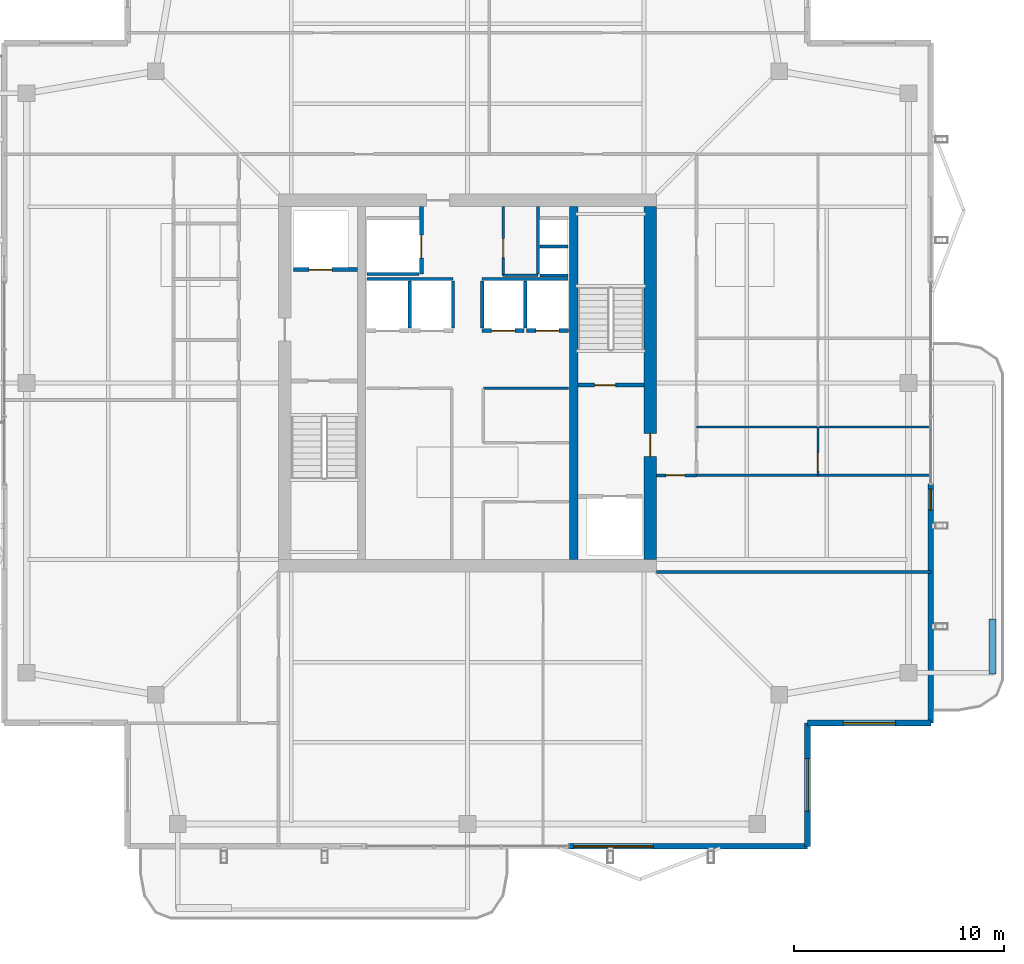
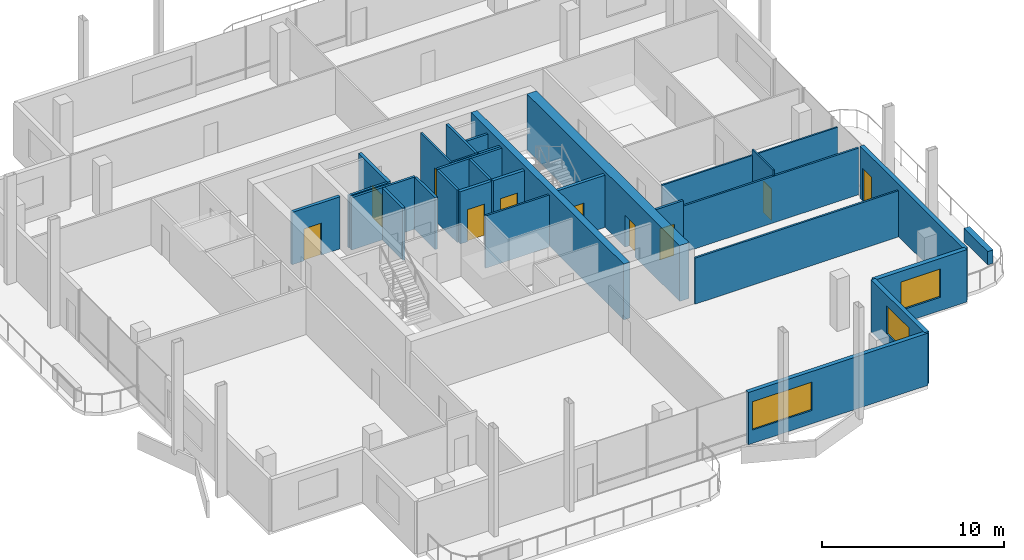
# One storey, part 17 of 22: 30 walls, 10 doors, 3 windows, 13 openings.
"""IFC4 building model written with IfcOpenShell, lengths in metres."""

from ifc_helpers import new_model, si_unit, direction, frame, frame_2d, origin, place, context, subcontext, project, spatial, rectangle, extrude, material, layer, layer_set, type_object, element, fill, save


model = new_model("IFC4")

# Units and contexts
model_context = context("Model", 3, precision=1e-05, world=origin(), true_north=direction((0.0, 1.0)))
body_context = subcontext(model_context, "Body", "Model", "MODEL_VIEW")
ifc_project = project(units=[si_unit("LENGTHUNIT", "METRE"), si_unit("AREAUNIT", "SQUARE_METRE"), si_unit("VOLUMEUNIT", "CUBIC_METRE"), si_unit("PLANEANGLEUNIT", "RADIAN"), si_unit("MASSUNIT", "GRAM", prefix="KILO")], contexts=[model_context])

# Site, building, storey
site_placement = place(None, origin())
site = spatial("IfcSite", under=ifc_project, at=site_placement, CompositionType="ELEMENT")
building_placement = place(site_placement, origin())
building = spatial("IfcBuilding", under=site, at=building_placement, Name="Belovzor Exchange Tower", CompositionType="ELEMENT")
storey_placement = place(building_placement, frame((0.0, 0.0, 336.75)))
storey = spatial("IfcBuildingStorey", under=building, at=storey_placement, Name="L84", CompositionType="ELEMENT", Elevation=336.75)

# Walls
ifc_material_1 = material(Name="Acoustic Plasterboard on Galvanised Studs", Category="gypsum")
ifc_layer_1 = layer(ifc_material_1, 0.1201171875)
ifc_layer_set_1 = layer_set([ifc_layer_1], Name="Acoustic Plasterboard on Galvanised Studs")
wall_type_1 = type_object("IfcWallType", Name="Acoustic Double-Stud Partition Wall 120", PredefinedType="PARTITIONING", material=ifc_layer_set_1)
wall_1_placement = place(storey_placement, frame((37.800048828125, 19.800048828125, 0.0), z_axis=(0.0, 0.0, 1.0), x_axis=(1.0, 0.0, 0.0)))
element("IfcWall", 1, at=wall_1_placement, inside=storey, type_object=wall_type_1, Name="W-P120 Partition Wall W-L84-ESS", PredefinedType="PARTITIONING", context=body_context, shape_type="SweptSolid", body=[
    extrude(rectangle(XDim=13.070068359375, YDim=0.1201171875, at=frame_2d((6.53515625, 0.0))), origin(), (0.0, 0.0, 1.0), 3.094970703125),
])
wall_2_placement = place(storey_placement, frame((39.699951171875, 24.39990234375, 0.0), z_axis=(0.0, 0.0, 1.0), x_axis=(1.0, 0.0, 0.0)))
element("IfcWall", 2, at=wall_2_placement, inside=storey, type_object=wall_type_1, Name="W-P120 Partition Wall W-L84-ESN", PredefinedType="PARTITIONING", context=body_context, shape_type="SweptSolid", body=[
    extrude(rectangle(XDim=11.170166015625, YDim=0.1201171875, at=frame_2d((5.5849609375, 0.0))), origin(), (0.0, 0.0, 1.0), 3.135009765625),
])

# Wall, opening, door
ifc_material_2 = material(Name="Acoustic Laminated Glass and Aluminium", Category="aluminium")
ifc_layer_2 = layer(ifc_material_2, 0.10009765625)
ifc_layer_set_2 = layer_set([ifc_layer_2], Name="Acoustic Laminated Glass and Aluminium")
wall_type_2 = type_object("IfcWallType", Name="Demountable Executive Glass Partition 100", PredefinedType="MOVABLE", material=ifc_layer_set_2)
wall_3_placement = place(storey_placement, frame((45.48388671875, 24.39990234375, 0.0), z_axis=(0.0, 0.0, 1.0), x_axis=(0.0, 1.0, 0.0)))
wall_3 = element("IfcWall", 3, at=wall_3_placement, inside=storey, type_object=wall_type_2, Name="W-M100 Partition Wall W-L84-EHDIV-0", PredefinedType="MOVABLE", context=body_context, shape_type="SweptSolid", body=[
    extrude(rectangle(XDim=2.300048828125, YDim=0.10009765625, at=frame_2d((1.14990234375, 0.0))), origin(), (0.0, 0.0, 1.0), 3.510009765625),
])
opening_1_placement = place(wall_3_placement, frame((0.199951171875, 0.0, 0.0)))
opening_1 = element("IfcOpeningElement", 4, at=opening_1_placement, cuts=wall_3, Name="Opening D-INT-090", PredefinedType="OPENING", context=body_context, shape_type="SweptSolid", body=[
    extrude(rectangle(XDim=0.89990234375, YDim=2.10009765625, at=frame_2d((0.449951171875, 1.050048828125))), frame((0.0, 0.06005859375, 0.0), z_axis=(0.0, -1.0, 0.0), x_axis=(1.0, 0.0, 0.0)), (0.0, 0.0, 1.0), 0.1201171875),
])
ifc_material_3 = material(Name="Veneered Hardwood Acoustic Leaf", Category="wood")
door_type_1 = type_object("IfcDoorType", Name="Trading Suite Acoustic Single Door 900x2100", OperationType="NOTDEFINED", PredefinedType="DOOR", material=ifc_material_3)
door_1_placement = place(opening_1_placement, origin())
door_1 = element("IfcDoor", 5, at=door_1_placement, inside=storey, type_object=door_type_1, Name="D-INT-090 Trading Suite Acoustic Single Door 900x2100", OperationType="SINGLE_SWING_RIGHT", OverallHeight=2.10009765625, OverallWidth=0.89990234375, PredefinedType="DOOR", context=body_context, shape_type="SweptSolid", body=[
    extrude(rectangle(XDim=0.89990234375, YDim=2.10009765625, at=frame_2d((0.449951171875, 1.050048828125))), frame((0.0, 0.02490234375, 0.0), z_axis=(0.0, -1.0, 0.0), x_axis=(1.0, 0.0, 0.0)), (0.0, 0.0, 1.0), 0.050048828125),
])
fill(opening_1, door_1)

# Wall
wall_4_placement = place(storey_placement, frame((39.699951171875, 26.699951171875, 0.0), z_axis=(0.0, 0.0, 1.0), x_axis=(1.0, 0.0, 0.0)))
element("IfcWall", 6, at=wall_4_placement, inside=storey, type_object=wall_type_2, Name="W-M100 Partition Wall W-L84-EDIV-1", PredefinedType="MOVABLE", context=body_context, shape_type="SweptSolid", body=[
    extrude(rectangle(XDim=11.170166015625, YDim=0.10009765625, at=frame_2d((5.5849609375, 0.0))), origin(), (0.0, 0.0, 1.0), 3.135009765625),
])

# Wall, opening, door
ifc_material_4 = material(Name="Fire-Rated Plasterboard on Galvanised Studs", Category="gypsum")
ifc_layer_3 = layer(ifc_material_4, 0.1201171875)
ifc_layer_set_3 = layer_set([ifc_layer_3], Name="Fire-Rated Plasterboard on Galvanised Studs")
wall_type_3 = type_object("IfcWallType", Name="Fire-Rated Double-Stud Partition Wall 120", PredefinedType="PARTITIONING", material=ifc_layer_set_3)
wall_5_placement = place(storey_placement, frame((30.5, 33.925048828125, 0.0), z_axis=(0.0, 0.0, 1.0), x_axis=(0.0, 1.0, 0.0)))
wall_5 = element("IfcWall", 7, at=wall_5_placement, inside=storey, type_object=wall_type_3, Name="W-P120F Partition Wall W-CRV-L84-W", PredefinedType="PARTITIONING", context=body_context, shape_type="SweptSolid", body=[
    extrude(rectangle(XDim=3.27490234375, YDim=0.1201171875, at=frame_2d((1.637451171875, 0.0))), origin(), (0.0, 0.0, 1.0), 3.510009765625),
])
opening_2_placement = place(wall_5_placement, frame((0.85009765625, 0.0, 0.0)))
opening_2 = element("IfcOpeningElement", 8, at=opening_2_placement, cuts=wall_5, Name="Opening D-FD60-090", PredefinedType="OPENING", context=body_context, shape_type="SweptSolid", body=[
    extrude(rectangle(XDim=0.89990234375, YDim=2.10009765625, at=frame_2d((0.449951171875, 1.050048828125))), frame((0.0, 0.070068359375, 0.0), z_axis=(0.0, -1.0, 0.0), x_axis=(1.0, 0.0, 0.0)), (0.0, 0.0, 1.0), 0.14013671875),
])
ifc_material_5 = material(Name="Acoustic Timber Fire Leaf", Category="wood")
door_type_2 = type_object("IfcDoorType", Name="Core Service & Restroom Fire Door 900x2100", OperationType="NOTDEFINED", PredefinedType="DOOR", material=ifc_material_5)
door_2_placement = place(opening_2_placement, origin())
door_2 = element("IfcDoor", 9, at=door_2_placement, inside=storey, type_object=door_type_2, Name="D-FD60-090 Core Service & Restroom Fire Door 900x2100", OperationType="SINGLE_SWING_LEFT", OverallHeight=2.10009765625, OverallWidth=0.89990234375, PredefinedType="DOOR", context=body_context, shape_type="SweptSolid", body=[
    extrude(rectangle(XDim=0.89990234375, YDim=2.10009765625, at=frame_2d((0.449951171875, 1.050048828125))), frame((0.0, 0.02490234375, 0.0), z_axis=(0.0, -1.0, 0.0), x_axis=(1.0, 0.0, 0.0)), (0.0, 0.0, 1.0), 0.050048828125),
])
fill(opening_2, door_2)

# Walls
wall_6_placement = place(storey_placement, frame((30.5, 33.925048828125, 0.0), z_axis=(0.0, 0.0, 1.0), x_axis=(1.0, 0.0, 0.0)))
element("IfcWall", 10, at=wall_6_placement, inside=storey, type_object=wall_type_3, Name="W-P120F Partition Wall W-CRV-L84-S", PredefinedType="PARTITIONING", context=body_context, shape_type="SweptSolid", body=[
    extrude(rectangle(XDim=1.64990234375, YDim=0.1201171875, at=frame_2d((0.824951171875, 0.0))), origin(), (0.0, 0.0, 1.0), 3.510009765625),
])
wall_7_placement = place(storey_placement, frame((29.550048828125, 28.550048828125, 0.0), z_axis=(0.0, 0.0, 1.0), x_axis=(1.0, 0.0, 0.0)))
element("IfcWall", 11, at=wall_7_placement, inside=storey, type_object=wall_type_3, Name="W-P120F Partition Wall W-CRM-L84-EN", PredefinedType="PARTITIONING", context=body_context, shape_type="SweptSolid", body=[
    extrude(rectangle(XDim=4.050048828125, YDim=0.1201171875, at=frame_2d((2.02490234375, 0.0))), origin(), (0.0, 0.0, 1.0), 3.510009765625),
])

# Wall, opening, door
ifc_material_6 = material(Name="Fire-Rated Gypsum Block and Mineral Wool", Category="gypsum")
ifc_layer_4 = layer(ifc_material_6, 0.14990234375)
ifc_layer_set_4 = layer_set([ifc_layer_4], Name="Fire-Rated Gypsum Block and Mineral Wool")
wall_type_4 = type_object("IfcWallType", Name="Fire-Rated Gypsum Block Corridor Wall 150", PredefinedType="PARTITIONING", material=ifc_layer_set_4)
wall_8_placement = place(storey_placement, frame((37.800048828125, 24.39990234375, 0.0), z_axis=(0.0, 0.0, 1.0), x_axis=(1.0, 0.0, 0.0)))
wall_8 = element("IfcWall", 12, at=wall_8_placement, inside=storey, type_object=wall_type_4, Name="W-P150 Partition Wall W-L84-CE-END", PredefinedType="PARTITIONING", context=body_context, shape_type="SweptSolid", body=[
    extrude(rectangle(XDim=1.89990234375, YDim=0.14990234375, at=frame_2d((0.949951171875, 0.0))), origin(), (0.0, 0.0, 1.0), 3.510009765625),
])
opening_3_placement = place(wall_8_placement, frame((0.449951171875, 0.0, 0.0)))
opening_3 = element("IfcOpeningElement", 13, at=opening_3_placement, cuts=wall_8, Name="Opening D-FD60-090", PredefinedType="OPENING", context=body_context, shape_type="SweptSolid", body=[
    extrude(rectangle(XDim=0.89990234375, YDim=2.10009765625, at=frame_2d((0.449951171875, 1.050048828125))), frame((0.0, 0.0849609375, 0.0), z_axis=(0.0, -1.0, 0.0), x_axis=(1.0, 0.0, 0.0)), (0.0, 0.0, 1.0), 0.169921875),
])
door_3_placement = place(opening_3_placement, origin())
door_3 = element("IfcDoor", 14, at=door_3_placement, inside=storey, type_object=door_type_2, Name="D-FD60-090 Core Service & Restroom Fire Door 900x2100", OperationType="SINGLE_SWING_LEFT", OverallHeight=2.10009765625, OverallWidth=0.89990234375, PredefinedType="DOOR", context=body_context, shape_type="SweptSolid", body=[
    extrude(rectangle(XDim=0.89990234375, YDim=2.10009765625, at=frame_2d((0.449951171875, 1.050048828125))), frame((0.0, 0.02490234375, 0.0), z_axis=(0.0, -1.0, 0.0), x_axis=(1.0, 0.0, 0.0)), (0.0, 0.0, 1.0), 0.050048828125),
])
fill(opening_3, door_3)

# Wall, opening, window
ifc_material_7 = material(Name="Precast concrete C40/50", Category="concrete")
ifc_layer_5 = layer(ifc_material_7, 0.280029296875)
ifc_layer_set_5 = layer_set([ifc_layer_5], Name="Precast concrete C40/50")
wall_type_5 = type_object("IfcWallType", Name="Precast Concrete Notched Corner Frame Wall 280", PredefinedType="SOLIDWALL", material=ifc_layer_set_5)
wall_9_placement = place(storey_placement, frame((50.8701171875, 12.60009765625, 0.0), z_axis=(0.0, 0.0, 1.0), x_axis=(-1.0, 0.0, 0.0)))
wall_9 = element("IfcWall", 15, at=wall_9_placement, inside=storey, type_object=wall_type_5, Name="W-CRN280 Precast Concrete Notched Corner Frame Wall 280 L84", PredefinedType="SOLIDWALL", context=body_context, shape_type="SweptSolid", body=[
    extrude(rectangle(XDim=5.8701171875, YDim=0.280029296875, at=frame_2d((2.93505859375, 0.0))), origin(), (0.0, 0.0, 1.0), 3.510009765625),
])
opening_4_placement = place(wall_9_placement, frame((1.68505859375, 0.0, 0.89990234375)))
opening_4 = element("IfcOpeningElement", 16, at=opening_4_placement, cuts=wall_9, Name="Opening WN-CRN250", PredefinedType="OPENING", context=body_context, shape_type="SweptSolid", body=[
    extrude(rectangle(XDim=2.5, YDim=1.89990234375, at=frame_2d((1.25, 0.949951171875))), frame((0.0, 0.14990234375, 0.0), z_axis=(0.0, -1.0, 0.0), x_axis=(1.0, 0.0, 0.0)), (0.0, 0.0, 1.0), 0.300048828125),
])
ifc_material_8 = material(Name="Thermally Broken Aluminium and Triple Glazing", Category="aluminium")
window_type_1 = type_object("IfcWindowType", Name="Streamline Moderne Corner Wrap Ribbon Window 2500x1900", PartitioningType="SINGLE_PANEL", PredefinedType="WINDOW", material=ifc_material_8)
window_1_placement = place(opening_4_placement, origin())
window_1 = element("IfcWindow", 17, at=window_1_placement, inside=storey, type_object=window_type_1, Name="WN-CRN250 Streamline Moderne Corner Wrap Ribbon Window 2500x1900", OverallHeight=1.89990234375, OverallWidth=2.5, PartitioningType="SINGLE_PANEL", PredefinedType="WINDOW", context=body_context, shape_type="SweptSolid", body=[
    extrude(rectangle(XDim=2.5, YDim=1.89990234375, at=frame_2d((1.25, 0.949951171875))), frame((0.0, 0.030029296875, 0.0), z_axis=(0.0, -1.0, 0.0), x_axis=(1.0, 0.0, 0.0)), (0.0, 0.0, 1.0), 0.06005859375),
])
fill(opening_4, window_1)

wall_10_placement = place(storey_placement, frame((45.0, 12.60009765625, 0.0), z_axis=(0.0, 0.0, 1.0), x_axis=(0.0, -1.0, 0.0)))
wall_10 = element("IfcWall", 18, at=wall_10_placement, inside=storey, type_object=wall_type_5, Name="W-CRN280 Precast Concrete Notched Corner Frame Wall 280 L84", PredefinedType="SOLIDWALL", context=body_context, shape_type="SweptSolid", body=[
    extrude(rectangle(XDim=5.8701171875, YDim=0.280029296875, at=frame_2d((2.93505859375, 0.0))), origin(), (0.0, 0.0, 1.0), 3.510009765625),
])
opening_5_placement = place(wall_10_placement, frame((1.68505859375, 0.0, 0.89990234375)))
opening_5 = element("IfcOpeningElement", 19, at=opening_5_placement, cuts=wall_10, Name="Opening WN-CRN250", PredefinedType="OPENING", context=body_context, shape_type="SweptSolid", body=[
    extrude(rectangle(XDim=2.5, YDim=1.89990234375, at=frame_2d((1.25, 0.949951171875))), frame((0.0, 0.14990234375, 0.0), z_axis=(0.0, -1.0, 0.0), x_axis=(1.0, 0.0, 0.0)), (0.0, 0.0, 1.0), 0.300048828125),
])
window_2_placement = place(opening_5_placement, origin())
window_2 = element("IfcWindow", 20, at=window_2_placement, inside=storey, type_object=window_type_1, Name="WN-CRN250 Streamline Moderne Corner Wrap Ribbon Window 2500x1900", OverallHeight=1.89990234375, OverallWidth=2.5, PartitioningType="SINGLE_PANEL", PredefinedType="WINDOW", context=body_context, shape_type="SweptSolid", body=[
    extrude(rectangle(XDim=2.5, YDim=1.89990234375, at=frame_2d((1.25, 0.949951171875))), frame((0.0, 0.030029296875, 0.0), z_axis=(0.0, -1.0, 0.0), x_axis=(1.0, 0.0, 0.0)), (0.0, 0.0, 1.0), 0.06005859375),
])
fill(opening_5, window_2)

ifc_material_9 = material(Name="Precast concrete C40/50", Category="concrete")
ifc_layer_6 = layer(ifc_material_9, 0.260009765625)
ifc_layer_set_6 = layer_set([ifc_layer_6], Name="Precast concrete C40/50")
wall_type_6 = type_object("IfcWallType", Name="Precast Concrete Perimeter Loggia Frame Wall 260", PredefinedType="SOLIDWALL", material=ifc_layer_set_6)
wall_11_placement = place(storey_placement, frame((45.0, 6.72998046875, 0.0), z_axis=(0.0, 0.0, 1.0), x_axis=(-1.0, 0.0, 0.0)))
wall_11 = element("IfcWall", 21, at=wall_11_placement, inside=storey, type_object=wall_type_6, Name="W-EXT260 Precast Concrete Perimeter Loggia Frame Wall 260 L84", PredefinedType="SOLIDWALL", context=body_context, shape_type="SweptSolid", body=[
    extrude(rectangle(XDim=11.39990234375, YDim=0.260009765625, at=frame_2d((5.699951171875, 0.0))), origin(), (0.0, 0.0, 1.0), 3.510009765625),
])
opening_6_placement = place(wall_11_placement, frame((7.35009765625, 0.0, 0.89990234375)))
opening_6 = element("IfcOpeningElement", 22, at=opening_6_placement, cuts=wall_11, Name="Opening WN-RIB380", PredefinedType="OPENING", context=body_context, shape_type="SweptSolid", body=[
    extrude(rectangle(XDim=3.800048828125, YDim=1.89990234375, at=frame_2d((1.89990234375, 0.949951171875))), frame((0.0, 0.139892578125, 0.0), z_axis=(0.0, -1.0, 0.0), x_axis=(1.0, 0.0, 0.0)), (0.0, 0.0, 1.0), 0.280029296875),
])
ifc_material_10 = material(Name="Thermally Broken Aluminium and Triple Glazing", Category="aluminium")
window_type_2 = type_object("IfcWindowType", Name="Streamline Moderne Horizontal Ribbon Window 3800x1900", PartitioningType="SINGLE_PANEL", PredefinedType="WINDOW", material=ifc_material_10)
window_3_placement = place(opening_6_placement, origin())
window_3 = element("IfcWindow", 23, at=window_3_placement, inside=storey, type_object=window_type_2, Name="WN-RIB380 Streamline Moderne Horizontal Ribbon Window 3800x1900", OverallHeight=1.89990234375, OverallWidth=3.800048828125, PartitioningType="SINGLE_PANEL", PredefinedType="WINDOW", context=body_context, shape_type="SweptSolid", body=[
    extrude(rectangle(XDim=3.800048828125, YDim=1.89990234375, at=frame_2d((1.89990234375, 0.949951171875))), frame((0.0, 0.030029296875, 0.0), z_axis=(0.0, -1.0, 0.0), x_axis=(1.0, 0.0, 0.0)), (0.0, 0.0, 1.0), 0.06005859375),
])
fill(opening_6, window_3)

# Wall, opening, door
wall_12_placement = place(storey_placement, frame((50.8701171875, 24.0, 0.0), z_axis=(0.0, 0.0, 1.0), x_axis=(0.0, -1.0, 0.0)))
wall_12 = element("IfcWall", 24, at=wall_12_placement, inside=storey, type_object=wall_type_6, Name="W-EXT260 Precast Concrete Perimeter Loggia Frame Wall 260 L84", PredefinedType="SOLIDWALL", context=body_context, shape_type="SweptSolid", body=[
    extrude(rectangle(XDim=11.39990234375, YDim=0.260009765625, at=frame_2d((5.699951171875, 0.0))), origin(), (0.0, 0.0, 1.0), 3.510009765625),
])
opening_7_placement = place(wall_12_placement, frame((0.25, 0.0, 0.0)))
opening_7 = element("IfcOpeningElement", 25, at=opening_7_placement, cuts=wall_12, Name="Opening D-BAL100", PredefinedType="OPENING", context=body_context, shape_type="SweptSolid", body=[
    extrude(rectangle(XDim=1.0, YDim=2.199951171875, at=frame_2d((0.5, 1.10009765625))), frame((0.0, 0.139892578125, 0.0), z_axis=(0.0, -1.0, 0.0), x_axis=(1.0, 0.0, 0.0)), (0.0, 0.0, 1.0), 0.280029296875),
])
ifc_material_11 = material(Name="Thermally Broken Anodised Aluminium and Laminated Glass", Category="aluminium")
door_type_3 = type_object("IfcDoorType", Name="Planted Loggia Terrace Glazed Door 1000x2200", OperationType="SINGLE_SWING_LEFT", PredefinedType="DOOR", material=ifc_material_11)
door_4_placement = place(opening_7_placement, origin())
door_4 = element("IfcDoor", 26, at=door_4_placement, inside=storey, type_object=door_type_3, Name="D-BAL100 Balcony Terrace Door L84 E", OperationType="SINGLE_SWING_LEFT", OverallHeight=2.199951171875, OverallWidth=1.0, PredefinedType="DOOR", context=body_context, shape_type="SweptSolid", body=[
    extrude(rectangle(XDim=1.0, YDim=2.199951171875, at=frame_2d((0.5, 1.10009765625))), frame((0.0, 0.02490234375, 0.0), z_axis=(0.0, -1.0, 0.0), x_axis=(1.0, 0.0, 0.0)), (0.0, 0.0, 1.0), 0.050048828125),
])
fill(opening_7, door_4)

# Walls
ifc_material_12 = material(Name="Precast concrete C40/50", Category="concrete")
ifc_layer_7 = layer(ifc_material_12, 0.35009765625)
ifc_layer_set_7 = layer_set([ifc_layer_7], Name="Precast concrete C40/50")
wall_type_7 = type_object("IfcWallType", Name="Precast Concrete Structural Tree Planter Trough 350", PredefinedType="PARAPET", material=ifc_layer_set_7)
wall_13_placement = place(storey_placement, frame((53.800048828125, 14.949951171875, 0.0), z_axis=(0.0, 0.0, 1.0), x_axis=(0.0, 1.0, 0.0)))
element("IfcWall", 27, at=wall_13_placement, inside=storey, type_object=wall_type_7, Name="PT-350 Precast Concrete Structural Tree Planter Trough 350 L84", PredefinedType="PARAPET", context=body_context, shape_type="SweptSolid", body=[
    extrude(rectangle(XDim=2.60009765625, YDim=0.35009765625, at=frame_2d((1.300048828125, 0.0))), origin(), (0.0, 0.0, 1.0), 0.89990234375),
])
ifc_material_13 = material(Name="Concrete C50/60", Category="concrete")
ifc_layer_8 = layer(ifc_material_13, 0.39990234375)
ifc_layer_set_8 = layer_set([ifc_layer_8], Name="Concrete C50/60")
wall_type_8 = type_object("IfcWallType", Name="Reinforced Concrete Core Internal Web Wall 400", PredefinedType="SHEAR", material=ifc_layer_set_8)
wall_14_placement = place(storey_placement, frame((33.85009765625, 20.39990234375, 0.0), z_axis=(0.0, 0.0, 1.0), x_axis=(0.0, 1.0, 0.0)))
element("IfcWall", 28, at=wall_14_placement, inside=storey, type_object=wall_type_8, Name="CW-W040 Core Internal Web Wall L84 ER", PredefinedType="SHEAR", context=body_context, shape_type="SweptSolid", body=[
    extrude(rectangle(XDim=16.800048828125, YDim=0.39990234375, at=frame_2d((8.39990234375, 0.0))), origin(), (0.0, 0.0, 1.0), 3.75),
])
ifc_material_14 = material(Name="Concrete C50/60", Category="concrete")
ifc_layer_9 = layer(ifc_material_14, 0.14990234375)
ifc_layer_set_9 = layer_set([ifc_layer_9], Name="Concrete C50/60")
wall_type_9 = type_object("IfcWallType", Name="Reinforced Concrete Core Riser Shear Wall 150", PredefinedType="SHEAR", material=ifc_layer_set_9)
wall_15_placement = place(storey_placement, frame((32.14990234375, 34.0, 0.0), z_axis=(0.0, 0.0, 1.0), x_axis=(0.0, 1.0, 0.0)))
element("IfcWall", 29, at=wall_15_placement, inside=storey, type_object=wall_type_9, Name="W-C150S Core Shaft Wall W-RSR-L84-E", PredefinedType="SHEAR", context=body_context, shape_type="SweptSolid", body=[
    extrude(rectangle(XDim=3.199951171875, YDim=0.14990234375, at=frame_2d((1.60009765625, 0.0))), origin(), (0.0, 0.0, 1.0), 3.510009765625),
])
for number, where, z_axis, x_axis, name in (
    (30, (32.25, 33.925048828125, 0.0), (0.0, 0.0, 1.0), (1.0, 0.0, 0.0), "W-C150S Core Shaft Wall W-RSR-L84-S"),
    (31, (32.25, 35.300048828125, 0.0), (0.0, 0.0, 1.0), (1.0, 0.0, 0.0), "W-C150S Core Shaft Wall W-RSR-L84-M"),
):
    element("IfcWall", number, at=place(storey_placement, frame(where, z_axis=z_axis, x_axis=x_axis)), inside=storey, type_object=wall_type_9, Name=name, PredefinedType="SHEAR", context=body_context, shape_type="SweptSolid", body=[
        extrude(rectangle(XDim=1.330078125, YDim=0.14990234375, at=frame_2d((0.6650390625, 0.0))), origin(), (0.0, 0.0, 1.0), 3.510009765625),
    ])
wall_16_placement = place(storey_placement, frame((24.0, 34.0, 0.0), z_axis=(0.0, 0.0, 1.0), x_axis=(1.0, 0.0, 0.0)))
element("IfcWall", 32, at=wall_16_placement, inside=storey, type_object=wall_type_9, Name="W-C150S Core Shaft Wall W-SH-L84-SL-01S", PredefinedType="SHEAR", context=body_context, shape_type="SweptSolid", body=[
    extrude(rectangle(XDim=2.47998046875, YDim=0.14990234375, at=frame_2d((1.239990234375, 0.0))), origin(), (0.0, 0.0, 1.0), 3.510009765625),
])
for number, where, z_axis, x_axis, name in (
    (33, (24.02001953125, 33.760009765625, 0.0), (0.0, 0.0, 1.0), (1.0, 0.0, 0.0), "W-C150S Core Shaft Wall W-SHB-L84-PLH-NW"),
    (34, (29.5, 33.760009765625, 0.0), (0.0, 0.0, 1.0), (1.0, 0.0, 0.0), "W-C150S Core Shaft Wall W-SHB-L84-PLH-NE"),
):
    element("IfcWall", number, at=place(storey_placement, frame(where, z_axis=z_axis, x_axis=x_axis)), inside=storey, type_object=wall_type_9, Name=name, PredefinedType="SHEAR", context=body_context, shape_type="SweptSolid", body=[
        extrude(rectangle(XDim=4.080078125, YDim=0.14990234375, at=frame_2d((2.0400390625, 0.0))), origin(), (0.0, 0.0, 1.0), 3.510009765625),
    ])
for number, where, z_axis, x_axis, name in (
    (35, (26.050048828125, 31.419921875, 0.0), (0.0, 0.0, 1.0), (0.0, 1.0, 0.0), "W-C150S Core Shaft Wall W-SHD-L84-PLH-1"),
    (36, (28.10009765625, 31.419921875, 0.0), (0.0, 0.0, 1.0), (0.0, 1.0, 0.0), "W-C150S Core Shaft Wall W-SHD-L84-PLH-2"),
    (37, (29.5, 31.419921875, 0.0), (0.0, 0.0, 1.0), (0.0, 1.0, 0.0), "W-C150S Core Shaft Wall W-SHD-L84-PLH-3"),
    (38, (31.550048828125, 31.419921875, 0.0), (0.0, 0.0, 1.0), (0.0, 1.0, 0.0), "W-C150S Core Shaft Wall W-SHD-L84-PLH-4"),
):
    element("IfcWall", number, at=place(storey_placement, frame(where, z_axis=z_axis, x_axis=x_axis)), inside=storey, type_object=wall_type_9, Name=name, PredefinedType="SHEAR", context=body_context, shape_type="SweptSolid", body=[
        extrude(rectangle(XDim=2.239990234375, YDim=0.14990234375, at=frame_2d((1.1201171875, 0.0))), origin(), (0.0, 0.0, 1.0), 3.510009765625),
    ])

# Wall, opening, door
ifc_material_15 = material(Name="Concrete C50/60", Category="concrete")
ifc_layer_10 = layer(ifc_material_15, 0.199951171875)
ifc_layer_set_10 = layer_set([ifc_layer_10], Name="Concrete C50/60")
wall_type_10 = type_object("IfcWallType", Name="Reinforced Concrete Core Shaft Shear Wall 200", PredefinedType="SHEAR", material=ifc_layer_set_10)
wall_17_placement = place(storey_placement, frame((34.050048828125, 28.699951171875, 0.0), z_axis=(0.0, 0.0, 1.0), x_axis=(1.0, 0.0, 0.0)))
wall_17 = element("IfcWall", 39, at=wall_17_placement, inside=storey, type_object=wall_type_10, Name="W-C200S Core Shaft Wall W-CORE-L84-FFLE2", PredefinedType="SHEAR", context=body_context, shape_type="SweptSolid", body=[
    extrude(rectangle(XDim=3.14990234375, YDim=0.199951171875, at=frame_2d((1.574951171875, 0.0))), origin(), (0.0, 0.0, 1.0), 3.510009765625),
])
opening_8_placement = place(wall_17_placement, frame((0.800048828125, 0.0, 0.0)))
opening_8 = element("IfcOpeningElement", 40, at=opening_8_placement, cuts=wall_17, Name="Opening D-FD90-100", PredefinedType="OPENING", context=body_context, shape_type="SweptSolid", body=[
    extrude(rectangle(XDim=1.0, YDim=2.10009765625, at=frame_2d((0.5, 1.050048828125))), frame((0.0, 0.10986328125, 0.0), z_axis=(0.0, -1.0, 0.0), x_axis=(1.0, 0.0, 0.0)), (0.0, 0.0, 1.0), 0.219970703125),
])
ifc_material_16 = material(Name="Fire-Rated Galvanised Steel Leaf", Category="steel")
door_type_4 = type_object("IfcDoorType", Name="Protected Stairwell Single Fire Door 1000x2100", OperationType="NOTDEFINED", PredefinedType="DOOR", material=ifc_material_16)
door_5_placement = place(opening_8_placement, origin())
door_5 = element("IfcDoor", 41, at=door_5_placement, inside=storey, type_object=door_type_4, Name="D-FD90-100 Protected Stairwell Single Fire Door 1000x2100", OperationType="SINGLE_SWING_LEFT", OverallHeight=2.10009765625, OverallWidth=1.0, PredefinedType="DOOR", context=body_context, shape_type="SweptSolid", body=[
    extrude(rectangle(XDim=1.0, YDim=2.10009765625, at=frame_2d((0.5, 1.050048828125))), frame((0.0, 0.02490234375, 0.0), z_axis=(0.0, -1.0, 0.0), x_axis=(1.0, 0.0, 0.0)), (0.0, 0.0, 1.0), 0.050048828125),
])
fill(opening_8, door_5)

wall_18_placement = place(storey_placement, frame((20.5, 34.199951171875, 0.0), z_axis=(0.0, 0.0, 1.0), x_axis=(1.0, 0.0, 0.0)))
wall_18 = element("IfcWall", 42, at=wall_18_placement, inside=storey, type_object=wall_type_10, Name="W-C200S Core Shaft Wall W-SH-L84-FFL-01", PredefinedType="SHEAR", context=body_context, shape_type="SweptSolid", body=[
    extrude(rectangle(XDim=3.050048828125, YDim=0.199951171875, at=frame_2d((1.52490234375, 0.0))), origin(), (0.0, 0.0, 1.0), 3.510009765625),
])
opening_9_placement = place(wall_18_placement, frame((0.75, 0.0, 0.0)))
opening_9 = element("IfcOpeningElement", 43, at=opening_9_placement, cuts=wall_18, Name="Opening LD-110", PredefinedType="OPENING", context=body_context, shape_type="SweptSolid", body=[
    extrude(rectangle(XDim=1.10009765625, YDim=2.14990234375, at=frame_2d((0.550048828125, 1.074951171875))), frame((0.0, 0.10986328125, 0.0), z_axis=(0.0, -1.0, 0.0), x_axis=(1.0, 0.0, 0.0)), (0.0, 0.0, 1.0), 0.219970703125),
])
ifc_material_17 = material(Name="Stainless Steel Grade 304", Category="steel")
door_type_5 = type_object("IfcDoorType", Name="Automated Stainless Steel Lift Landing Door 1100x2150", OperationType="SLIDING_TO_RIGHT", PredefinedType="DOOR", material=ifc_material_17)
door_6_placement = place(opening_9_placement, origin())
door_6 = element("IfcDoor", 44, at=door_6_placement, inside=storey, type_object=door_type_5, Name="LD-110 Automated Stainless Steel Lift Landing Door 1100x2150", OperationType="SLIDING_TO_RIGHT", OverallHeight=2.14990234375, OverallWidth=1.10009765625, PredefinedType="DOOR", context=body_context, shape_type="SweptSolid", body=[
    extrude(rectangle(XDim=1.10009765625, YDim=2.14990234375, at=frame_2d((0.550048828125, 1.074951171875))), frame((0.0, 0.02490234375, 0.0), z_axis=(0.0, -1.0, 0.0), x_axis=(1.0, 0.0, 0.0)), (0.0, 0.0, 1.0), 0.050048828125),
])
fill(opening_9, door_6)

wall_19_placement = place(storey_placement, frame((26.60009765625, 34.0, 0.0), z_axis=(0.0, 0.0, 1.0), x_axis=(0.0, 1.0, 0.0)))
wall_19 = element("IfcWall", 45, at=wall_19_placement, inside=storey, type_object=wall_type_10, Name="W-C200S Core Shaft Wall W-SH-L84-SL-01", PredefinedType="SHEAR", context=body_context, shape_type="SweptSolid", body=[
    extrude(rectangle(XDim=3.199951171875, YDim=0.199951171875, at=frame_2d((1.60009765625, 0.0))), origin(), (0.0, 0.0, 1.0), 3.510009765625),
])
opening_10_placement = place(wall_19_placement, frame((0.75, 0.0, 0.0)))
opening_10 = element("IfcOpeningElement", 46, at=opening_10_placement, cuts=wall_19, Name="Opening LD-110", PredefinedType="OPENING", context=body_context, shape_type="SweptSolid", body=[
    extrude(rectangle(XDim=1.10009765625, YDim=2.14990234375, at=frame_2d((0.550048828125, 1.074951171875))), frame((0.0, 0.10986328125, 0.0), z_axis=(0.0, -1.0, 0.0), x_axis=(1.0, 0.0, 0.0)), (0.0, 0.0, 1.0), 0.219970703125),
])
door_7_placement = place(opening_10_placement, origin())
door_7 = element("IfcDoor", 47, at=door_7_placement, inside=storey, type_object=door_type_5, Name="LD-110 Automated Stainless Steel Lift Landing Door 1100x2150", OperationType="SLIDING_TO_RIGHT", OverallHeight=2.14990234375, OverallWidth=1.10009765625, PredefinedType="DOOR", context=body_context, shape_type="SweptSolid", body=[
    extrude(rectangle(XDim=1.10009765625, YDim=2.14990234375, at=frame_2d((0.550048828125, 1.074951171875))), frame((0.0, 0.02490234375, 0.0), z_axis=(0.0, -1.0, 0.0), x_axis=(1.0, 0.0, 0.0)), (0.0, 0.0, 1.0), 0.050048828125),
])
fill(opening_10, door_7)

wall_20_placement = place(storey_placement, frame((29.5, 31.300048828125, 0.0), z_axis=(0.0, 0.0, 1.0), x_axis=(1.0, 0.0, 0.0)))
wall_20 = element("IfcWall", 48, at=wall_20_placement, inside=storey, type_object=wall_type_10, Name="W-C200S Core Shaft Wall W-SH-L84-PL-H3", PredefinedType="SHEAR", context=body_context, shape_type="SweptSolid", body=[
    extrude(rectangle(XDim=2.0, YDim=0.199951171875, at=frame_2d((1.0, 0.0))), origin(), (0.0, 0.0, 1.0), 3.510009765625),
])
opening_11_placement = place(wall_20_placement, frame((0.449951171875, 0.0, 0.0)))
opening_11 = element("IfcOpeningElement", 49, at=opening_11_placement, cuts=wall_20, Name="Opening LD-110", PredefinedType="OPENING", context=body_context, shape_type="SweptSolid", body=[
    extrude(rectangle(XDim=1.10009765625, YDim=2.14990234375, at=frame_2d((0.550048828125, 1.074951171875))), frame((0.0, 0.10986328125, 0.0), z_axis=(0.0, -1.0, 0.0), x_axis=(1.0, 0.0, 0.0)), (0.0, 0.0, 1.0), 0.219970703125),
])
door_8_placement = place(opening_11_placement, origin())
door_8 = element("IfcDoor", 50, at=door_8_placement, inside=storey, type_object=door_type_5, Name="LD-110 Automated Stainless Steel Lift Landing Door 1100x2150", OperationType="SLIDING_TO_RIGHT", OverallHeight=2.14990234375, OverallWidth=1.10009765625, PredefinedType="DOOR", context=body_context, shape_type="SweptSolid", body=[
    extrude(rectangle(XDim=1.10009765625, YDim=2.14990234375, at=frame_2d((0.550048828125, 1.074951171875))), frame((0.0, 0.02490234375, 0.0), z_axis=(0.0, -1.0, 0.0), x_axis=(1.0, 0.0, 0.0)), (0.0, 0.0, 1.0), 0.050048828125),
])
fill(opening_11, door_8)

wall_21_placement = place(storey_placement, frame((31.60009765625, 31.300048828125, 0.0), z_axis=(0.0, 0.0, 1.0), x_axis=(1.0, 0.0, 0.0)))
wall_21 = element("IfcWall", 51, at=wall_21_placement, inside=storey, type_object=wall_type_10, Name="W-C200S Core Shaft Wall W-SH-L84-PL-H4", PredefinedType="SHEAR", context=body_context, shape_type="SweptSolid", body=[
    extrude(rectangle(XDim=2.0, YDim=0.199951171875, at=frame_2d((1.0, 0.0))), origin(), (0.0, 0.0, 1.0), 3.510009765625),
])
opening_12_placement = place(wall_21_placement, frame((0.449951171875, 0.0, 0.0)))
opening_12 = element("IfcOpeningElement", 52, at=opening_12_placement, cuts=wall_21, Name="Opening LD-110", PredefinedType="OPENING", context=body_context, shape_type="SweptSolid", body=[
    extrude(rectangle(XDim=1.10009765625, YDim=2.14990234375, at=frame_2d((0.550048828125, 1.074951171875))), frame((0.0, 0.10986328125, 0.0), z_axis=(0.0, -1.0, 0.0), x_axis=(1.0, 0.0, 0.0)), (0.0, 0.0, 1.0), 0.219970703125),
])
door_9_placement = place(opening_12_placement, origin())
door_9 = element("IfcDoor", 53, at=door_9_placement, inside=storey, type_object=door_type_5, Name="LD-110 Automated Stainless Steel Lift Landing Door 1100x2150", OperationType="SLIDING_TO_RIGHT", OverallHeight=2.14990234375, OverallWidth=1.10009765625, PredefinedType="DOOR", context=body_context, shape_type="SweptSolid", body=[
    extrude(rectangle(XDim=1.10009765625, YDim=2.14990234375, at=frame_2d((0.550048828125, 1.074951171875))), frame((0.0, 0.02490234375, 0.0), z_axis=(0.0, -1.0, 0.0), x_axis=(1.0, 0.0, 0.0)), (0.0, 0.0, 1.0), 0.050048828125),
])
fill(opening_12, door_9)

ifc_material_18 = material(Name="Concrete C50/60", Category="concrete")
ifc_layer_11 = layer(ifc_material_18, 0.60009765625)
ifc_layer_set_11 = layer_set([ifc_layer_11], Name="Concrete C50/60")
wall_type_11 = type_object("IfcWallType", Name="Reinforced Concrete Core Shear Wall 600", PredefinedType="SHEAR", material=ifc_layer_set_11)
wall_22_placement = place(storey_placement, frame((37.5, 20.39990234375, 0.0), z_axis=(0.0, 0.0, 1.0), x_axis=(0.0, 1.0, 0.0)))
wall_22 = element("IfcWall", 54, at=wall_22_placement, inside=storey, type_object=wall_type_11, Name="CW-S060 Core Shear Wall L84 E", PredefinedType="SHEAR", context=body_context, shape_type="SweptSolid", body=[
    extrude(rectangle(XDim=16.800048828125, YDim=0.60009765625, at=frame_2d((8.39990234375, 0.0))), origin(), (0.0, 0.0, 1.0), 3.75),
])
opening_13_placement = place(wall_22_placement, frame((4.89990234375, 0.0, 0.0)))
opening_13 = element("IfcOpeningElement", 55, at=opening_13_placement, cuts=wall_22, Name="Opening D-FD90-110", PredefinedType="OPENING", context=body_context, shape_type="SweptSolid", body=[
    extrude(rectangle(XDim=1.10009765625, YDim=2.14990234375, at=frame_2d((0.550048828125, 1.074951171875))), frame((0.0, 0.31005859375, 0.0), z_axis=(0.0, -1.0, 0.0), x_axis=(1.0, 0.0, 0.0)), (0.0, 0.0, 1.0), 0.6201171875),
])
ifc_material_19 = material(Name="Fire-Rated Galvanised Steel Leaf", Category="steel")
door_type_6 = type_object("IfcDoorType", Name="Protected Escape Vestibule Fire Door 1100x2150", OperationType="NOTDEFINED", PredefinedType="DOOR", material=ifc_material_19)
door_10_placement = place(opening_13_placement, origin())
door_10 = element("IfcDoor", 56, at=door_10_placement, inside=storey, type_object=door_type_6, Name="D-FD90-110 Protected Escape Vestibule Fire Door 1100x2150", OperationType="SINGLE_SWING_RIGHT", OverallHeight=2.14990234375, OverallWidth=1.10009765625, PredefinedType="DOOR", context=body_context, shape_type="SweptSolid", body=[
    extrude(rectangle(XDim=1.10009765625, YDim=2.14990234375, at=frame_2d((0.550048828125, 1.074951171875))), frame((0.0, 0.02490234375, 0.0), z_axis=(0.0, -1.0, 0.0), x_axis=(1.0, 0.0, 0.0)), (0.0, 0.0, 1.0), 0.050048828125),
])
fill(opening_13, door_10)

save(model, "model.ifc")
